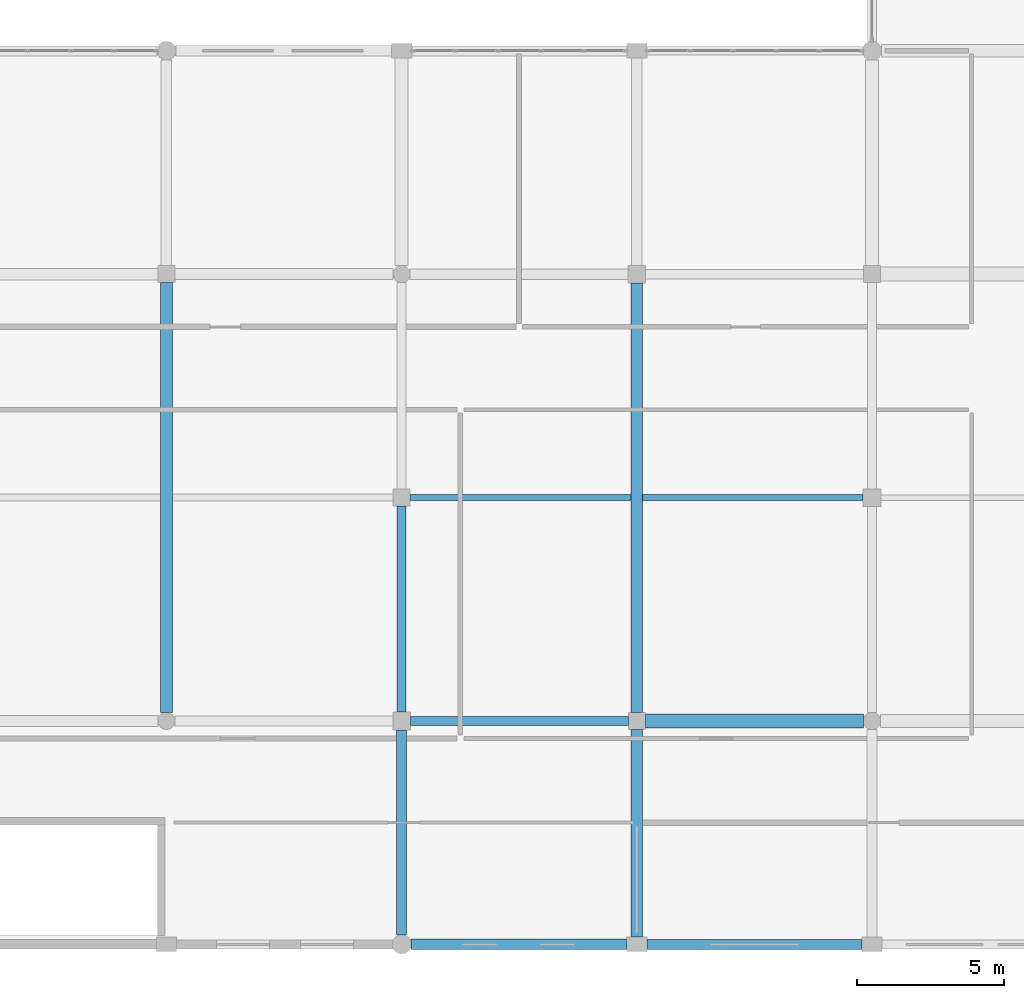
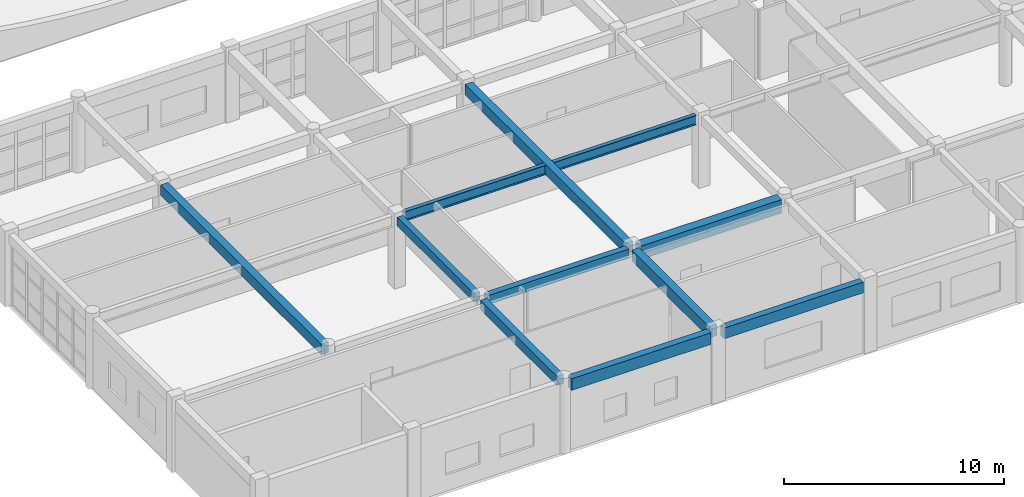
# One storey, part 12 of 121: 10 beams.
"""IFC4 building model written with IfcOpenShell, lengths in metres."""

from ifc_helpers import new_model, si_unit, direction, frame, origin, origin_2d, place, context, subcontext, project, spatial, rectangle, i_section, extrude, material, material_profile, profile_set, type_object, element, save


model = new_model("IFC4")

# Units and contexts
model_context = context("Model", 3, precision=1e-05, world=origin(), true_north=direction((0.0, 1.0)))
body_context = subcontext(model_context, "Body", "Model", "MODEL_VIEW")
ifc_project = project(units=[si_unit("LENGTHUNIT", "METRE"), si_unit("AREAUNIT", "SQUARE_METRE"), si_unit("VOLUMEUNIT", "CUBIC_METRE"), si_unit("PLANEANGLEUNIT", "RADIAN"), si_unit("MASSUNIT", "GRAM", prefix="KILO")], contexts=[model_context])

# Site, building, storey
site_placement = place(None, origin())
site = spatial("IfcSite", under=ifc_project, at=site_placement, CompositionType="ELEMENT")
building_placement = place(site_placement, origin())
building = spatial("IfcBuilding", under=site, at=building_placement, Name="Kharva Crest Polytechnic", CompositionType="ELEMENT")
storey_placement = place(building_placement, frame((0.0, 0.0, 13.199951171875)))
storey = spatial("IfcBuildingStorey", under=building, at=storey_placement, Name="L03", CompositionType="ELEMENT", Elevation=13.199951171875)

# Beams
ifc_material_1 = material(Name="Concrete C35/45", Category="concrete")
ifc_material_profile_1 = material_profile(ifc_material_1, rectangle(XDim=0.300048828125, YDim=0.47998046875, at=origin_2d()), Name="RECT 300 X 480")
ifc_profile_set_1 = profile_set([ifc_material_profile_1], Name="Concrete C35/45")
beam_type_1 = type_object("IfcBeamType", Name="BM-RC-300X480", PredefinedType="BEAM", material=ifc_profile_set_1)
beam_1_placement = place(storey_placement, frame((16.0, 7.89990234375, 3.719970703125), z_axis=(0.0, 1.0, 0.0), x_axis=(-1.0, 0.0, 0.0)))
element("IfcBeam", 1, at=beam_1_placement, inside=storey, type_object=beam_type_1, Name="L03 Girder 3/B-C", PredefinedType="BEAM", context=body_context, shape_type="SweptSolid", body=[
    extrude(rectangle(XDim=0.300048828125, YDim=0.47998046875, at=origin_2d()), origin(), (0.0, 0.0, 1.0), 7.010009765625),
])
ifc_material_profile_2 = material_profile(ifc_material_1, rectangle(XDim=0.320068359375, YDim=0.5, at=origin_2d()), Name="RECT 320 X 500")
ifc_profile_set_2 = profile_set([ifc_material_profile_2], Name="Concrete C35/45")
beam_type_2 = type_object("IfcBeamType", Name="BM-RC-320X500", PredefinedType="BEAM", material=ifc_profile_set_2)
beam_2_placement = place(storey_placement, frame((16.300048828125, 7.60009765625, 3.7099609375), z_axis=(1.0, 0.0, 0.0), x_axis=(0.0, 1.0, 0.0)))
element("IfcBeam", 2, at=beam_2_placement, inside=storey, type_object=beam_type_2, Name="L03 Beam B/3-4", PredefinedType="BEAM", context=body_context, shape_type="SweptSolid", body=[
    extrude(rectangle(XDim=0.320068359375, YDim=0.5, at=origin_2d()), origin(), (0.0, 0.0, 1.0), 7.409912109375),
])
ifc_material_profile_3 = material_profile(ifc_material_1, rectangle(XDim=0.340087890625, YDim=0.52001953125, at=origin_2d()), Name="RECT 340 X 520")
ifc_profile_set_3 = profile_set([ifc_material_profile_3], Name="Concrete C35/45")
beam_type_3 = type_object("IfcBeamType", Name="BM-RC-340X520", PredefinedType="BEAM", material=ifc_profile_set_3)
beam_3_placement = place(storey_placement, frame((16.0, 0.320068359375, 3.699951171875), z_axis=(0.0, 1.0, 0.0), x_axis=(-1.0, 0.0, 0.0)))
element("IfcBeam", 3, at=beam_3_placement, inside=storey, type_object=beam_type_3, Name="L03 Girder 3/A-B", PredefinedType="BEAM", context=body_context, shape_type="SweptSolid", body=[
    extrude(rectangle(XDim=0.340087890625, YDim=0.52001953125, at=origin_2d()), origin(), (0.0, 0.0, 1.0), 6.97998046875),
])
ifc_material_profile_4 = material_profile(ifc_material_1, rectangle(XDim=0.39990234375, YDim=0.580078125, at=origin_2d()), Name="RECT 400 X 580")
ifc_profile_set_4 = profile_set([ifc_material_profile_4], Name="Concrete C35/45")
beam_type_4 = type_object("IfcBeamType", Name="BM-RC-400X580", PredefinedType="BEAM", material=ifc_profile_set_4)
beam_4_placement = place(storey_placement, frame((8.0, 7.889892578125, 3.670166015625), z_axis=(0.0, 1.0, 0.0), x_axis=(-1.0, 0.0, 0.0)))
element("IfcBeam", 4, at=beam_4_placement, inside=storey, type_object=beam_type_4, Name="L03 Girder 2/B-D", PredefinedType="BEAM", context=body_context, shape_type="SweptSolid", body=[
    extrude(rectangle(XDim=0.39990234375, YDim=0.580078125, at=origin_2d()), origin(), (0.0, 0.0, 1.0), 14.6201171875),
])
beam_5_placement = place(storey_placement, frame((24.0, 7.889892578125, 3.670166015625), z_axis=(0.0, 1.0, 0.0), x_axis=(-1.0, 0.0, 0.0)))
element("IfcBeam", 5, at=beam_5_placement, inside=storey, type_object=beam_type_4, Name="L03 Girder 4/B-D", PredefinedType="BEAM", context=body_context, shape_type="SweptSolid", body=[
    extrude(rectangle(XDim=0.39990234375, YDim=0.580078125, at=origin_2d()), origin(), (0.0, 0.0, 1.0), 14.610107421875),
])
ifc_material_profile_5 = material_profile(ifc_material_1, rectangle(XDim=0.39990234375, YDim=0.6201171875, at=origin_2d()), Name="RECT 400 X 620")
ifc_profile_set_5 = profile_set([ifc_material_profile_5], Name="Concrete C35/45")
beam_type_5 = type_object("IfcBeamType", Name="BM-RC-400X620", PredefinedType="BEAM", material=ifc_profile_set_5)
beam_6_placement = place(storey_placement, frame((24.0, 0.25, 3.650146484375), z_axis=(0.0, 1.0, 0.0), x_axis=(-1.0, 0.0, 0.0)))
element("IfcBeam", 6, at=beam_6_placement, inside=storey, type_object=beam_type_5, Name="L03 Girder 4/A-B", PredefinedType="BEAM", context=body_context, shape_type="SweptSolid", body=[
    extrude(rectangle(XDim=0.39990234375, YDim=0.6201171875, at=origin_2d()), origin(), (0.0, 0.0, 1.0), 7.06005859375),
])
ifc_material_profile_6 = material_profile(ifc_material_1, rectangle(XDim=0.47998046875, YDim=0.75, at=origin_2d()), Name="RECT 480 X 750")
ifc_profile_set_6 = profile_set([ifc_material_profile_6], Name="Concrete C35/45")
beam_type_6 = type_object("IfcBeamType", Name="BM-RC-480X750", PredefinedType="BEAM", material=ifc_profile_set_6)
beam_7_placement = place(storey_placement, frame((24.2900390625, 7.60009765625, 3.5849609375), z_axis=(1.0, 0.0, 0.0), x_axis=(0.0, 1.0, 0.0)))
element("IfcBeam", 7, at=beam_7_placement, inside=storey, type_object=beam_type_6, Name="L03 Beam B/4-5", PredefinedType="BEAM", context=body_context, shape_type="SweptSolid", body=[
    extrude(rectangle(XDim=0.47998046875, YDim=0.75, at=origin_2d()), origin(), (0.0, 0.0, 1.0), 7.419921875),
])
ifc_material_2 = material(Name="Steel S355", Category="steel")
ifc_material_profile_7 = material_profile(ifc_material_2, i_section(OverallWidth=0.208984375, OverallDepth=0.532958984375, WebThickness=0.01025390625, FlangeThickness=0.015625, at=origin_2d()), Name="W530X92")
ifc_profile_set_7 = profile_set([ifc_material_profile_7], Name="Steel S355")
beam_type_7 = type_object("IfcBeamType", Name="BM-STL-W530X92", PredefinedType="BEAM", material=ifc_profile_set_7)
beam_8_placement = place(storey_placement, frame((16.2900390625, 15.199951171875, 3.693603515625), z_axis=(1.0, 0.0, 0.0), x_axis=(0.0, 1.0, 0.0)))
element("IfcBeam", 8, at=beam_8_placement, inside=storey, type_object=beam_type_7, Name="L03 Beam C/3-5", PredefinedType="BEAM", context=body_context, shape_type="SweptSolid", body=[
    extrude(i_section(OverallWidth=0.208984375, OverallDepth=0.532958984375, WebThickness=0.01025390625, FlangeThickness=0.015625, at=origin_2d()), origin(), (0.0, 0.0, 1.0), 15.409912109375),
])
ifc_material_profile_8 = material_profile(ifc_material_1, rectangle(XDim=0.340087890625, YDim=0.60009765625, at=origin_2d()), Name="RECT 340 X 600")
ifc_profile_set_8 = profile_set([ifc_material_profile_8], Name="Concrete C35/45")
beam_type_8 = type_object("IfcBeamType", Name="SP-RC-340X600", PredefinedType="SPANDREL", material=ifc_profile_set_8)
beam_9_placement = place(storey_placement, frame((24.35009765625, 0.0, 3.66015625), z_axis=(1.0, 0.0, 0.0), x_axis=(0.0, 1.0, 0.0)))
element("IfcBeam", 9, at=beam_9_placement, inside=storey, type_object=beam_type_8, Name="L03 Beam A/4-5", PredefinedType="SPANDREL", context=body_context, shape_type="SweptSolid", body=[
    extrude(rectangle(XDim=0.340087890625, YDim=0.60009765625, at=origin_2d()), origin(), (0.0, 0.0, 1.0), 7.309814453125),
])
ifc_material_profile_9 = material_profile(ifc_material_1, rectangle(XDim=0.360107421875, YDim=0.64990234375, at=origin_2d()), Name="RECT 360 X 650")
ifc_profile_set_9 = profile_set([ifc_material_profile_9], Name="Concrete C35/45")
beam_type_9 = type_object("IfcBeamType", Name="SP-RC-360X650", PredefinedType="SPANDREL", material=ifc_profile_set_9)
beam_10_placement = place(storey_placement, frame((16.320068359375, 0.0, 3.635009765625), z_axis=(1.0, 0.0, 0.0), x_axis=(0.0, 1.0, 0.0)))
element("IfcBeam", 10, at=beam_10_placement, inside=storey, type_object=beam_type_9, Name="L03 Beam A/3-4", PredefinedType="SPANDREL", context=body_context, shape_type="SweptSolid", body=[
    extrude(rectangle(XDim=0.360107421875, YDim=0.64990234375, at=origin_2d()), origin(), (0.0, 0.0, 1.0), 7.329833984375),
])

save(model, "model.ifc")
